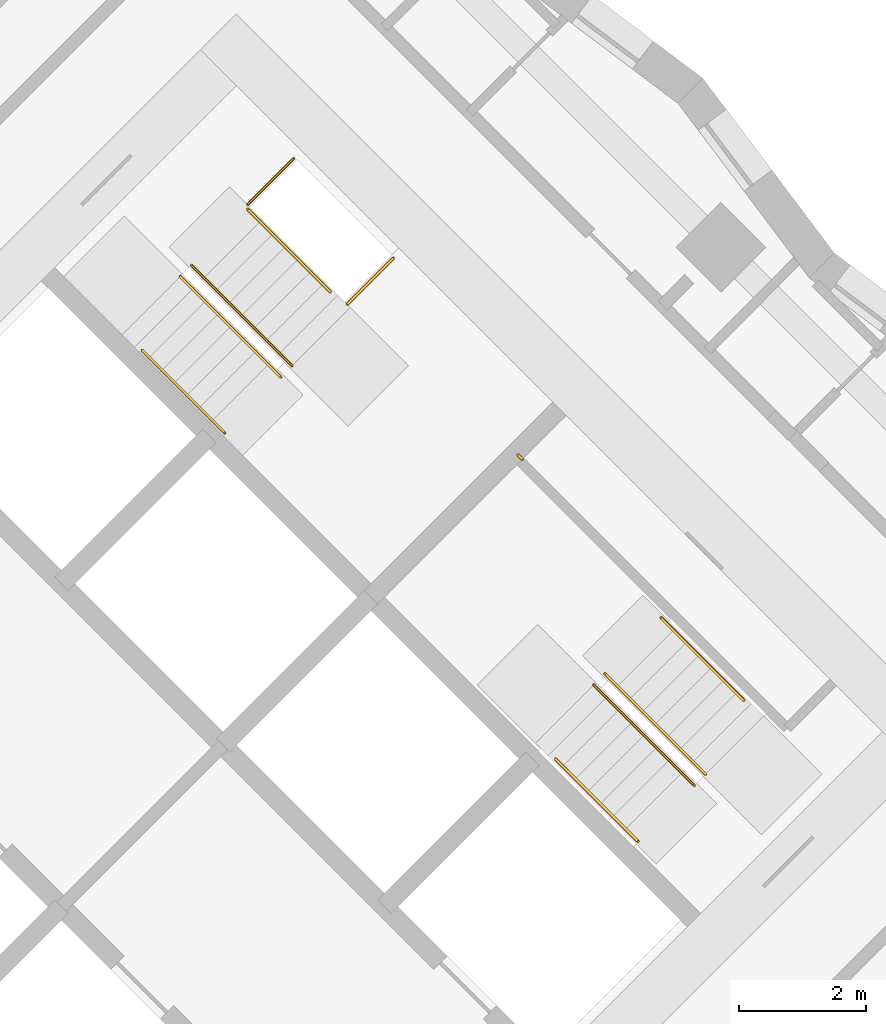
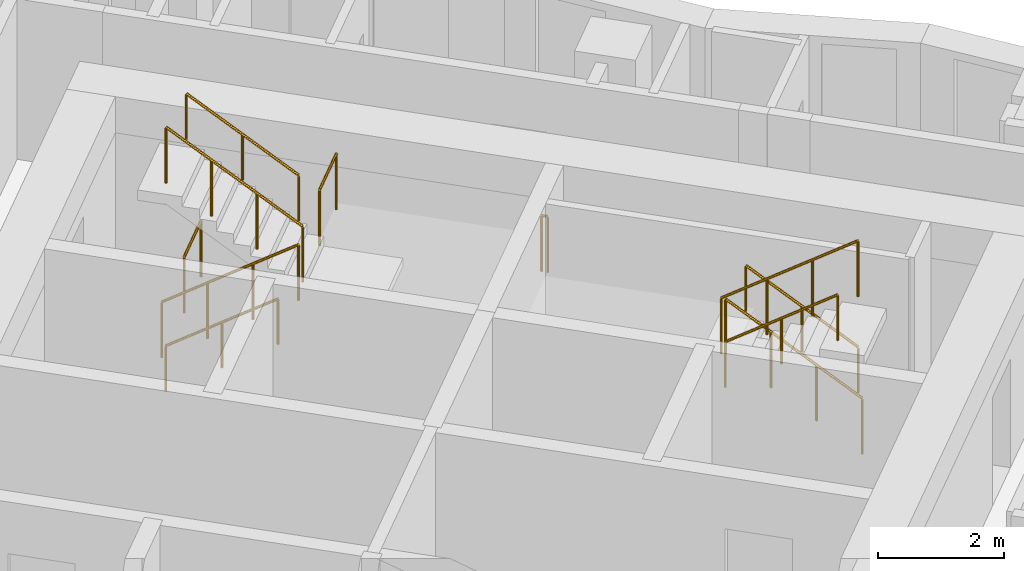
# One storey, part 13 of 13: 11 railings.
"""IFC4 building model written with IfcOpenShell, lengths in metres."""

from ifc_helpers import new_model, si_unit, direction, frame, origin, origin_2d, place, context, subcontext, project, spatial, circle, extrude, material, type_object, element, save


model = new_model("IFC4")

# Units and contexts
model_context = context("Model", 3, precision=1e-05, world=origin(), true_north=direction((0.0, 1.0)))
body_context = subcontext(model_context, "Body", "Model", "MODEL_VIEW")
ifc_project = project(units=[si_unit("LENGTHUNIT", "METRE"), si_unit("AREAUNIT", "SQUARE_METRE"), si_unit("VOLUMEUNIT", "CUBIC_METRE"), si_unit("PLANEANGLEUNIT", "RADIAN"), si_unit("MASSUNIT", "GRAM", prefix="KILO")], contexts=[model_context])

# Site, building, storey
site_placement = place(None, origin())
site = spatial("IfcSite", under=ifc_project, at=site_placement, CompositionType="ELEMENT")
building_placement = place(site_placement, origin())
building = spatial("IfcBuilding", under=site, at=building_placement, Name="Windrow Commons", CompositionType="ELEMENT")
storey_placement = place(building_placement, frame((0.0, 0.0, 101.6)))
storey = spatial("IfcBuildingStorey", under=building, at=storey_placement, Name="L27", CompositionType="ELEMENT", Elevation=101.6)

# Railings
ifc_material_1 = material(Name="Steel S355", Category="steel")
railing_type_1 = type_object("IfcRailingType", Name="Core stair guard 1100", PredefinedType="GUARDRAIL", material=ifc_material_1)
railing_1_placement = place(storey_placement, frame((85.9529, 56.2669, 0.1889)))
element("IfcRailing", 1, at=railing_1_placement, inside=storey, type_object=railing_type_1, Name="L27 ST-B1 stair guard 1", PredefinedType="GUARDRAIL", context=body_context, shape_type="SweptSolid", body=[
    extrude(circle(Radius=0.024, at=origin_2d()), frame((0.0, 0.0, 1.076), z_axis=(0.5861914914, -0.5861914914, 0.5592486664), x_axis=(0.7071067812, 0.7071067812, 0.0)), (0.0, 0.0, 1.0), 2.702),
    extrude(circle(Radius=0.021, at=origin_2d()), origin(), (0.0, 0.0, 1.0), 1.052),
    extrude(circle(Radius=0.021, at=origin_2d()), frame((0.528, -0.528, 0.5037)), (0.0, 0.0, 1.0), 1.052),
    extrude(circle(Radius=0.021, at=origin_2d()), frame((1.0559, -1.0559, 1.0074)), (0.0, 0.0, 1.0), 1.052),
    extrude(circle(Radius=0.021, at=origin_2d()), frame((1.5839, -1.5839, 1.5111)), (0.0, 0.0, 1.0), 1.052),
])
railing_2_placement = place(storey_placement, frame((87.7136, 54.8597, 1.8889)))
element("IfcRailing", 2, at=railing_2_placement, inside=storey, type_object=railing_type_1, Name="L27 ST-B1 stair guard 2", PredefinedType="GUARDRAIL", context=body_context, shape_type="SweptSolid", body=[
    extrude(circle(Radius=0.024, at=origin_2d()), frame((0.0, 0.0, 1.076), z_axis=(-0.5862030657, 0.5862030657, 0.5592244018), x_axis=(-0.7071067812, -0.7071067812, 0.0)), (0.0, 0.0, 1.0), 2.7021),
    extrude(circle(Radius=0.021, at=origin_2d()), origin(), (0.0, 0.0, 1.0), 1.052),
    extrude(circle(Radius=0.021, at=origin_2d()), frame((-0.528, 0.528, 0.5037)), (0.0, 0.0, 1.0), 1.052),
    extrude(circle(Radius=0.021, at=origin_2d()), frame((-1.056, 1.056, 1.0074)), (0.0, 0.0, 1.0), 1.052),
    extrude(circle(Radius=0.021, at=origin_2d()), frame((-1.584, 1.584, 1.5111)), (0.0, 0.0, 1.0), 1.052),
])
railing_3_placement = place(storey_placement, frame((87.0135, 57.3982, 0.0)))
element("IfcRailing", 3, at=railing_3_placement, inside=storey, type_object=railing_type_1, Name="L27 ST-B1 stair guard 3", PredefinedType="GUARDRAIL", context=body_context, shape_type="SweptSolid", body=[
    extrude(circle(Radius=0.024, at=origin_2d()), frame((0.0, 0.0, 1.076), z_axis=(0.7070582378, 0.7071553212, 0.0), x_axis=(-0.7071553212, 0.7070582378, 0.0)), (0.0, 0.0, 1.0), 1.03),
    extrude(circle(Radius=0.021, at=origin_2d()), origin(), (0.0, 0.0, 1.0), 1.052),
    extrude(circle(Radius=0.021, at=origin_2d()), frame((0.7283, 0.7284, 0.0)), (0.0, 0.0, 1.0), 1.052),
])
railing_4_placement = place(storey_placement, frame((88.5833, 55.8285, 1.7)))
element("IfcRailing", 4, at=railing_4_placement, inside=storey, type_object=railing_type_1, Name="L27 ST-B1 stair guard 4", PredefinedType="GUARDRAIL", context=body_context, shape_type="SweptSolid", body=[
    extrude(circle(Radius=0.024, at=origin_2d()), frame((0.0, 0.0, 1.076), z_axis=(0.7071067812, 0.7071067812, 0.0), x_axis=(-0.7071067812, 0.7071067812, 0.0)), (0.0, 0.0, 1.0), 1.03),
    extrude(circle(Radius=0.021, at=origin_2d()), origin(), (0.0, 0.0, 1.0), 1.052),
    extrude(circle(Radius=0.021, at=origin_2d()), frame((0.7283, 0.7283, 0.0)), (0.0, 0.0, 1.0), 1.052),
])
railing_5_placement = place(storey_placement, frame((94.2296, 48.4215, 0.1889)))
element("IfcRailing", 5, at=railing_5_placement, inside=storey, type_object=railing_type_1, Name="L27 ST-B2 stair guard 1", PredefinedType="GUARDRAIL", context=body_context, shape_type="SweptSolid", body=[
    extrude(circle(Radius=0.024, at=origin_2d()), frame((0.0, 0.0, 1.076), z_axis=(-0.5862157828, 0.5861787742, 0.5592365337), x_axis=(-0.7070844598, -0.7071291018, 0.0)), (0.0, 0.0, 1.0), 2.7021),
    extrude(circle(Radius=0.021, at=origin_2d()), origin(), (0.0, 0.0, 1.0), 1.052),
    extrude(circle(Radius=0.021, at=origin_2d()), frame((-0.528, 0.528, 0.5037)), (0.0, 0.0, 1.0), 1.052),
    extrude(circle(Radius=0.021, at=origin_2d()), frame((-1.056, 1.0559, 1.0074)), (0.0, 0.0, 1.0), 1.052),
    extrude(circle(Radius=0.021, at=origin_2d()), frame((-1.584, 1.5839, 1.5111)), (0.0, 0.0, 1.0), 1.052),
])
railing_6_placement = place(storey_placement, frame((92.4689, 49.8287, 1.8889)))
element("IfcRailing", 6, at=railing_6_placement, inside=storey, type_object=railing_type_1, Name="L27 ST-B2 stair guard 2", PredefinedType="GUARDRAIL", context=body_context, shape_type="SweptSolid", body=[
    extrude(circle(Radius=0.024, at=origin_2d()), frame((0.0, 0.0, 1.076), z_axis=(0.5861787742, -0.5862157828, 0.5592365337), x_axis=(0.7071291018, 0.7070844598, 0.0)), (0.0, 0.0, 1.0), 2.7021),
    extrude(circle(Radius=0.021, at=origin_2d()), origin(), (0.0, 0.0, 1.0), 1.052),
    extrude(circle(Radius=0.021, at=origin_2d()), frame((0.528, -0.528, 0.5037)), (0.0, 0.0, 1.0), 1.052),
    extrude(circle(Radius=0.021, at=origin_2d()), frame((1.0559, -1.056, 1.0074)), (0.0, 0.0, 1.0), 1.052),
    extrude(circle(Radius=0.021, at=origin_2d()), frame((1.5839, -1.584, 1.5111)), (0.0, 0.0, 1.0), 1.052),
])
railing_7_placement = place(storey_placement, frame((91.3446, 53.3854, 1.7)))
element("IfcRailing", 7, at=railing_7_placement, inside=storey, type_object=railing_type_1, Name="L27 ST-B2 stair guard 3", PredefinedType="GUARDRAIL", context=body_context, shape_type="SweptSolid", body=[
    extrude(circle(Radius=0.024, at=origin_2d()), frame((0.0, 0.0, 1.076), z_axis=(-0.7076063266, 0.7066068826, 0.0), x_axis=(-0.7066068826, -0.7076063266, 0.0)), (0.0, 0.0, 1.0), 0.1001),
    extrude(circle(Radius=0.021, at=origin_2d()), origin(), (0.0, 0.0, 1.0), 1.052),
    extrude(circle(Radius=0.021, at=origin_2d()), frame((-0.0708, 0.0707, 0.0)), (0.0, 0.0, 1.0), 1.052),
])
ifc_material_2 = material(Name="Steel S355", Category="steel")
railing_type_2 = type_object("IfcRailingType", Name="Core stair handrail 900", PredefinedType="HANDRAIL", material=ifc_material_2)
railing_8_placement = place(storey_placement, frame((85.3518, 55.1001, 0.4587)))
element("IfcRailing", 8, at=railing_8_placement, inside=storey, type_object=railing_type_2, Name="L27 ST-B1 stair handrail 1", PredefinedType="HANDRAIL", context=body_context, shape_type="SweptSolid", body=[
    extrude(circle(Radius=0.024, at=origin_2d()), frame((0.0, 0.0, 0.876), z_axis=(0.586206706, -0.5861616513, 0.5592639952), x_axis=(0.7070796062, 0.7071339551, 0.0)), (0.0, 0.0, 1.0), 2.2195),
    extrude(circle(Radius=0.021, at=origin_2d()), origin(), (0.0, 0.0, 1.0), 0.852),
    extrude(circle(Radius=0.021, at=origin_2d()), frame((0.6506, -0.6505, 0.6206)), (0.0, 0.0, 1.0), 0.852),
    extrude(circle(Radius=0.021, at=origin_2d()), frame((1.3011, -1.301, 1.2413)), (0.0, 0.0, 1.0), 0.852),
])
for number, where, name in (
    (9, (88.3146, 56.0265, 2.1587), "L27 ST-B1 stair handrail 2"),
    (10, (94.8306, 49.5883, 0.4587), "L27 ST-B2 stair handrail 1"),
):
    element("IfcRailing", number, at=place(storey_placement, frame(where)), inside=storey, type_object=railing_type_2, Name=name, PredefinedType="HANDRAIL", context=body_context, shape_type="SweptSolid", body=[
        extrude(circle(Radius=0.024, at=origin_2d()), frame((0.0, 0.0, 0.876), z_axis=(-0.586206706, 0.5861616513, 0.5592639952), x_axis=(-0.7070796062, -0.7071339551, 0.0)), (0.0, 0.0, 1.0), 2.2195),
        extrude(circle(Radius=0.021, at=origin_2d()), origin(), (0.0, 0.0, 1.0), 0.852),
        extrude(circle(Radius=0.021, at=origin_2d()), frame((-0.6506, 0.6505, 0.6206)), (0.0, 0.0, 1.0), 0.852),
        extrude(circle(Radius=0.021, at=origin_2d()), frame((-1.3011, 1.301, 1.2413)), (0.0, 0.0, 1.0), 0.852),
    ])
railing_9_placement = place(storey_placement, frame((91.8678, 48.6619, 2.1587)))
element("IfcRailing", 11, at=railing_9_placement, inside=storey, type_object=railing_type_2, Name="L27 ST-B2 stair handrail 2", PredefinedType="HANDRAIL", context=body_context, shape_type="SweptSolid", body=[
    extrude(circle(Radius=0.024, at=origin_2d()), frame((0.0, 0.0, 0.876), z_axis=(0.586206706, -0.5861616513, 0.5592639952), x_axis=(0.7070796062, 0.7071339551, 0.0)), (0.0, 0.0, 1.0), 2.2195),
    extrude(circle(Radius=0.021, at=origin_2d()), origin(), (0.0, 0.0, 1.0), 0.852),
    extrude(circle(Radius=0.021, at=origin_2d()), frame((0.6505, -0.6505, 0.6206)), (0.0, 0.0, 1.0), 0.852),
    extrude(circle(Radius=0.021, at=origin_2d()), frame((1.3011, -1.301, 1.2413)), (0.0, 0.0, 1.0), 0.852),
])

save(model, "model.ifc")
